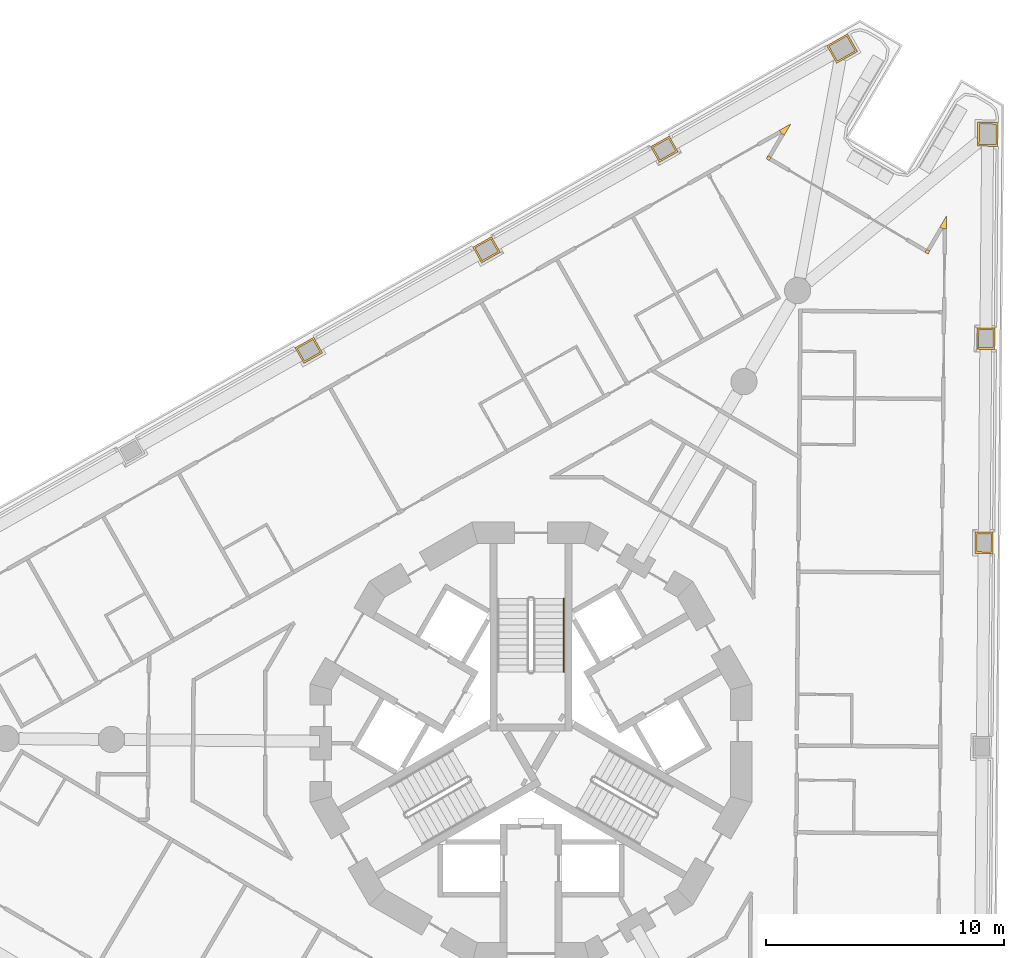
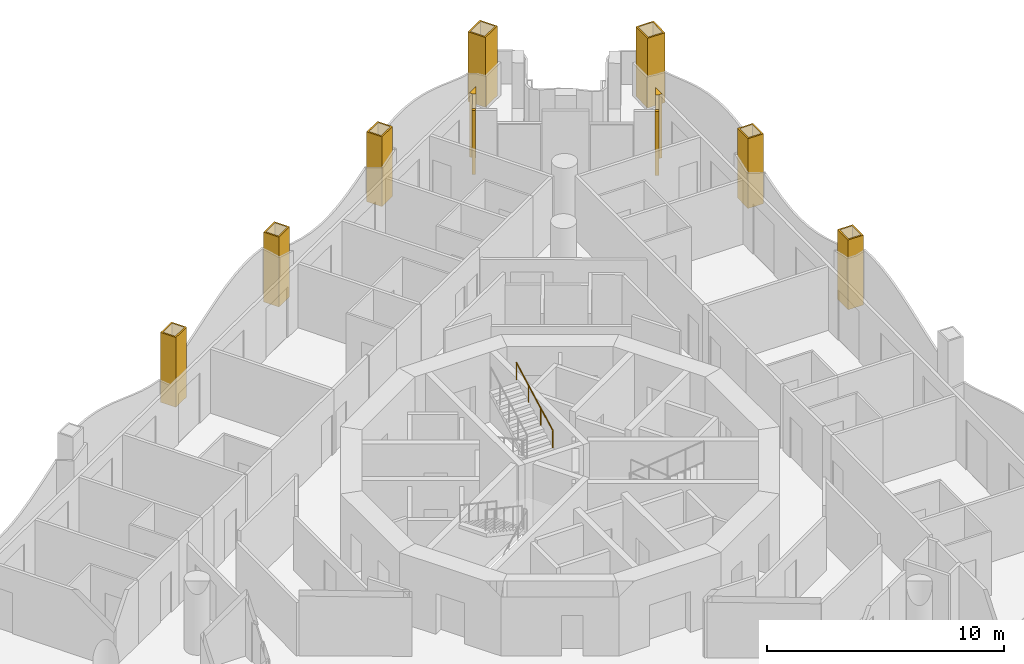
# One storey, part 16 of 17: 11 coverings, 1 railing.
"""IFC4 building model written with IfcOpenShell, lengths in metres."""

from ifc_helpers import new_model, si_unit, direction, frame, origin, origin_2d, place, context, subcontext, project, spatial, polyline, circle, outline, extrude, material, layer, layer_set, type_object, element, save


model = new_model("IFC4")

# Units and contexts
model_context = context("Model", 3, precision=1e-05, world=origin(), true_north=direction((0.0, 1.0)))
body_context = subcontext(model_context, "Body", "Model", "MODEL_VIEW")
ifc_project = project(units=[si_unit("LENGTHUNIT", "METRE"), si_unit("AREAUNIT", "SQUARE_METRE"), si_unit("VOLUMEUNIT", "CUBIC_METRE"), si_unit("PLANEANGLEUNIT", "RADIAN"), si_unit("MASSUNIT", "GRAM", prefix="KILO")], contexts=[model_context])

# Site, building, storey
site_placement = place(None, origin())
site = spatial("IfcSite", under=ifc_project, at=site_placement, CompositionType="ELEMENT")
building_placement = place(site_placement, origin())
building = spatial("IfcBuilding", under=site, at=building_placement, Name="Trine Commons Tower", CompositionType="ELEMENT")
storey_placement = place(building_placement, frame((0.0, 0.0, 186.300048828125)))
storey = spatial("IfcBuildingStorey", under=building, at=storey_placement, Name="L48", CompositionType="ELEMENT", Elevation=186.300048828125)

# Coverings
ifc_material_1 = material(Name="Aluminium-framed insulated wall panel", Category="aluminium")
ifc_layer_1 = layer(ifc_material_1, 0.14990234375)
ifc_layer_set_1 = layer_set([ifc_layer_1], Name="Aluminium-framed insulated wall panel")
covering_type_1 = type_object("IfcCoveringType", Name="Glazing corner post, aluminium", PredefinedType="CLADDING", material=ifc_layer_set_1)
covering_1_placement = place(storey_placement, origin())
element("IfcCovering", 1, at=covering_1_placement, inside=storey, type_object=covering_type_1, Name="Glazing corner post 5-05", PredefinedType="CLADDING", context=body_context, shape_type="SweptSolid", body=[
    extrude(outline(polyline([(90.626220703125, 88.007080078125), (90.910400390625, 88.489501953125), (90.423095703125, 88.213623046875), (90.496826171875, 88.083251953125), (90.626220703125, 88.007080078125)])), origin(), (0.0, 0.0, 1.0), 3.300048828125),
])
covering_2_placement = place(storey_placement, origin())
element("IfcCovering", 2, at=covering_2_placement, inside=storey, type_object=covering_type_1, Name="Glazing corner post 5-06", PredefinedType="CLADDING", context=body_context, shape_type="SweptSolid", body=[
    extrude(outline(polyline([(89.9990234375, 86.9423828125), (90.0751953125, 87.071533203125), (89.94580078125, 87.147705078125), (89.86962890625, 87.018310546875), (89.9990234375, 86.9423828125)])), origin(), (0.0, 0.0, 1.0), 3.300048828125),
])
covering_3_placement = place(storey_placement, origin())
element("IfcCovering", 3, at=covering_3_placement, inside=storey, type_object=covering_type_1, Name="Glazing corner post 5-07", PredefinedType="CLADDING", context=body_context, shape_type="SweptSolid", body=[
    extrude(outline(polyline([(96.530029296875, 83.09521484375), (96.659423828125, 83.01904296875), (96.735595703125, 83.148193359375), (96.606201171875, 83.224365234375), (96.530029296875, 83.09521484375)])), origin(), (0.0, 0.0, 1.0), 3.300048828125),
])
covering_4_placement = place(storey_placement, origin())
element("IfcCovering", 4, at=covering_4_placement, inside=storey, type_object=covering_type_1, Name="Glazing corner post 5-08", PredefinedType="CLADDING", context=body_context, shape_type="SweptSolid", body=[
    extrude(outline(polyline([(97.4365234375, 84.08251953125), (97.44140625, 84.64208984375), (97.1572265625, 84.159912109375), (97.28662109375, 84.083740234375), (97.4365234375, 84.08251953125)])), origin(), (0.0, 0.0, 1.0), 3.300048828125),
])
ifc_material_2 = material(Name="Limestone, honed", Category="masonry")
ifc_layer_2 = layer(ifc_material_2, 0.074951171875)
ifc_layer_set_2 = layer_set([ifc_layer_2], Name="Limestone, honed")
covering_type_2 = type_object("IfcCoveringType", Name="Limestone column cladding 75", PredefinedType="CLADDING", material=ifc_layer_set_2)
covering_5_placement = place(storey_placement, origin())
element("IfcCovering", 5, at=covering_5_placement, inside=storey, type_object=covering_type_2, Name="Limestone pier cladding 5-11", PredefinedType="CLADDING", context=body_context, shape_type="SweptSolid", body=[
    extrude(outline(polyline([(71.2509765625, 78.877685546875), (70.881591796875, 79.530517578125), (70.098388671875, 79.087158203125), (70.4677734375, 78.434326171875), (71.2509765625, 78.877685546875)]), holes=[polyline([(71.148681640625, 78.906005859375), (70.853515625, 79.42822265625), (70.20068359375, 79.058837890625), (70.49609375, 78.53662109375), (71.148681640625, 78.906005859375)])]), origin(), (0.0, 0.0, 1.0), 3.599853515625),
])
covering_6_placement = place(storey_placement, origin())
element("IfcCovering", 6, at=covering_6_placement, inside=storey, type_object=covering_type_2, Name="Limestone pier cladding 5-12", PredefinedType="CLADDING", context=body_context, shape_type="SweptSolid", body=[
    extrude(outline(polyline([(78.71044921875, 83.097900390625), (78.34130859375, 83.750732421875), (77.557861328125, 83.3076171875), (77.92724609375, 82.65478515625), (78.71044921875, 83.097900390625)]), holes=[polyline([(78.6083984375, 83.12646484375), (78.31298828125, 83.648681640625), (77.66015625, 83.279296875), (77.95556640625, 82.757080078125), (78.6083984375, 83.12646484375)])]), origin(), (0.0, 0.0, 1.0), 3.599853515625),
])
covering_7_placement = place(storey_placement, origin())
element("IfcCovering", 7, at=covering_7_placement, inside=storey, type_object=covering_type_2, Name="Limestone pier cladding 5-13", PredefinedType="CLADDING", context=body_context, shape_type="SweptSolid", body=[
    extrude(outline(polyline([(86.169921875, 87.318359375), (85.80078125, 87.97119140625), (85.017333984375, 87.52783203125), (85.38671875, 86.875), (86.169921875, 87.318359375)]), holes=[polyline([(86.06787109375, 87.3466796875), (85.7724609375, 87.868896484375), (85.11962890625, 87.49951171875), (85.4150390625, 86.977294921875), (86.06787109375, 87.3466796875)])]), origin(), (0.0, 0.0, 1.0), 3.599853515625),
])
covering_8_placement = place(storey_placement, origin())
element("IfcCovering", 8, at=covering_8_placement, inside=storey, type_object=covering_type_2, Name="Limestone pier cladding 5-14", PredefinedType="CLADDING", context=body_context, shape_type="SweptSolid", body=[
    extrude(outline(polyline([(93.697509765625, 91.519775390625), (93.279052734375, 92.259521484375), (92.40869140625, 91.76708984375), (92.8271484375, 91.02734375), (93.697509765625, 91.519775390625)]), holes=[polyline([(93.59521484375, 91.548095703125), (93.250732421875, 92.157470703125), (92.510986328125, 91.73876953125), (92.85546875, 91.129638671875), (93.59521484375, 91.548095703125)])]), origin(), (0.0, 0.0, 1.0), 3.599853515625),
])
covering_9_placement = place(storey_placement, origin())
element("IfcCovering", 9, at=covering_9_placement, inside=storey, type_object=covering_type_2, Name="Limestone pier cladding 5-15", PredefinedType="CLADDING", context=body_context, shape_type="SweptSolid", body=[
    extrude(outline(polyline([(99.590576171875, 88.5419921875), (98.740478515625, 88.54931640625), (98.73193359375, 87.54931640625), (99.581787109375, 87.5419921875), (99.590576171875, 88.5419921875)]), holes=[polyline([(99.514892578125, 88.467529296875), (98.81494140625, 88.4736328125), (98.8076171875, 87.623779296875), (99.507568359375, 87.61767578125), (99.514892578125, 88.467529296875)])]), origin(), (0.0, 0.0, 1.0), 3.599853515625),
])
covering_10_placement = place(storey_placement, origin())
element("IfcCovering", 10, at=covering_10_placement, inside=storey, type_object=covering_type_2, Name="Limestone pier cladding 5-16", PredefinedType="CLADDING", context=body_context, shape_type="SweptSolid", body=[
    extrude(outline(polyline([(99.46533203125, 79.922119140625), (98.71533203125, 79.9287109375), (98.70751953125, 79.028564453125), (99.45751953125, 79.02197265625), (99.46533203125, 79.922119140625)]), holes=[polyline([(99.3896484375, 79.84765625), (98.789794921875, 79.852783203125), (98.783203125, 79.102783203125), (99.383056640625, 79.09765625), (99.3896484375, 79.84765625)])]), origin(), (0.0, 0.0, 1.0), 3.599853515625),
])
covering_11_placement = place(storey_placement, origin())
element("IfcCovering", 11, at=covering_11_placement, inside=storey, type_object=covering_type_2, Name="Limestone pier cladding 5-17", PredefinedType="CLADDING", context=body_context, shape_type="SweptSolid", body=[
    extrude(outline(polyline([(99.390380859375, 71.351806640625), (98.640380859375, 71.3583984375), (98.6328125, 70.458251953125), (99.3828125, 70.45166015625), (99.390380859375, 71.351806640625)]), holes=[polyline([(99.31494140625, 71.27734375), (98.71484375, 71.28271484375), (98.708251953125, 70.53271484375), (99.308349609375, 70.52734375), (99.31494140625, 71.27734375)])]), origin(), (0.0, 0.0, 1.0), 3.599853515625),
])

# Railing
ifc_material_3 = material(Name="Stainless steel handrail", Category="steel")
railing_type = type_object("IfcRailingType", Name="Stair handrail, steel 900", PredefinedType="HANDRAIL", material=ifc_material_3)
railing_placement = place(storey_placement, frame((81.375, 65.490478515625, 1.949951171875)))
element("IfcRailing", 12, at=railing_placement, inside=storey, type_object=railing_type, Name="L48 ST1B stair handrail 2", PredefinedType="HANDRAIL", context=body_context, shape_type="SweptSolid", body=[
    extrude(circle(Radius=0.02099609375, at=origin_2d()), frame((0.0, 0.0, 0.87890625), z_axis=(0.0, 0.881496589024, 0.472190389079), x_axis=(-1.0, 0.0, 0.0)), (0.0, 0.0, 1.0), 3.494140625),
    extrude(circle(Radius=0.01513671875, at=origin_2d()), origin(), (0.0, 0.0, 1.0), 0.85791015625),
    extrude(circle(Radius=0.01513671875, at=origin_2d()), frame((0.0, 1.026611328125, 0.550048828125)), (0.0, 0.0, 1.0), 0.85791015625),
    extrude(circle(Radius=0.01513671875, at=origin_2d()), frame((0.0, 2.053466796875, 1.099853515625)), (0.0, 0.0, 1.0), 0.85791015625),
    extrude(circle(Radius=0.01513671875, at=origin_2d()), frame((0.0, 3.080078125, 1.64990234375)), (0.0, 0.0, 1.0), 0.85791015625),
])

save(model, "model.ifc")
